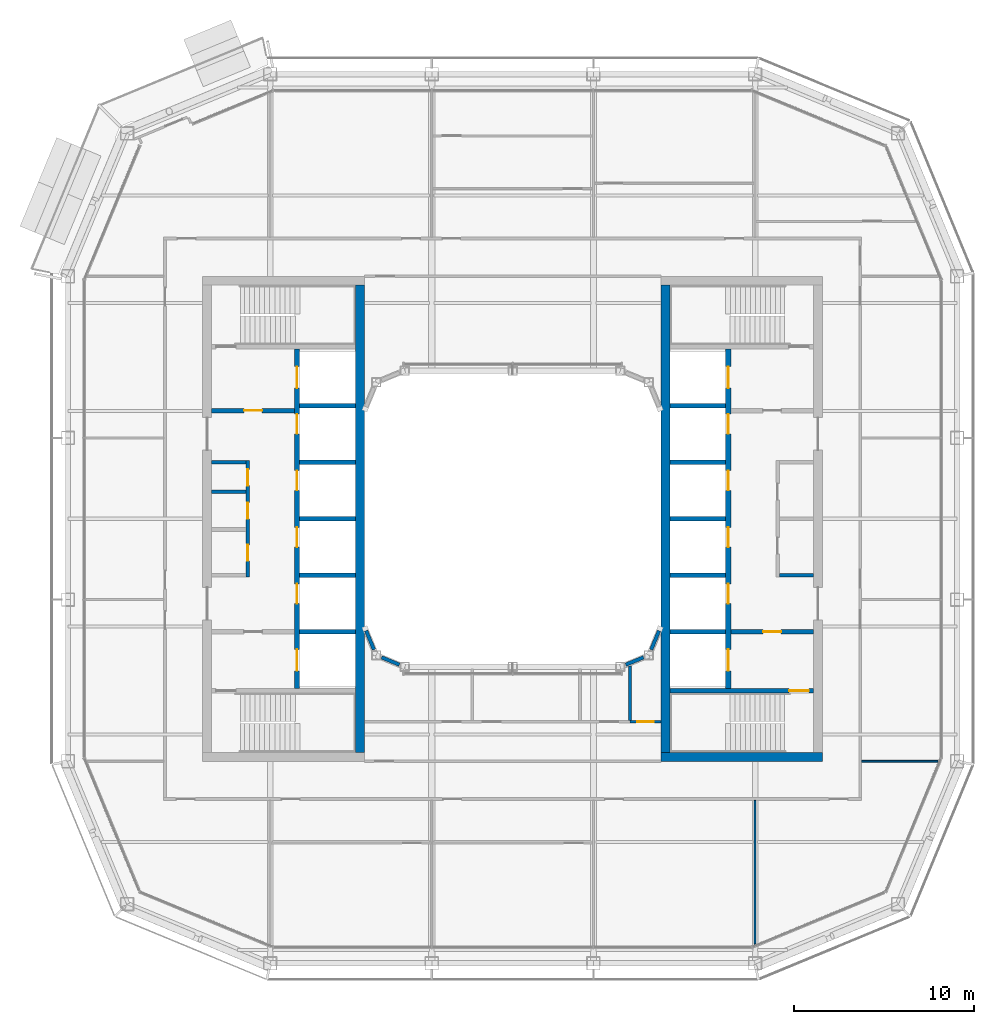
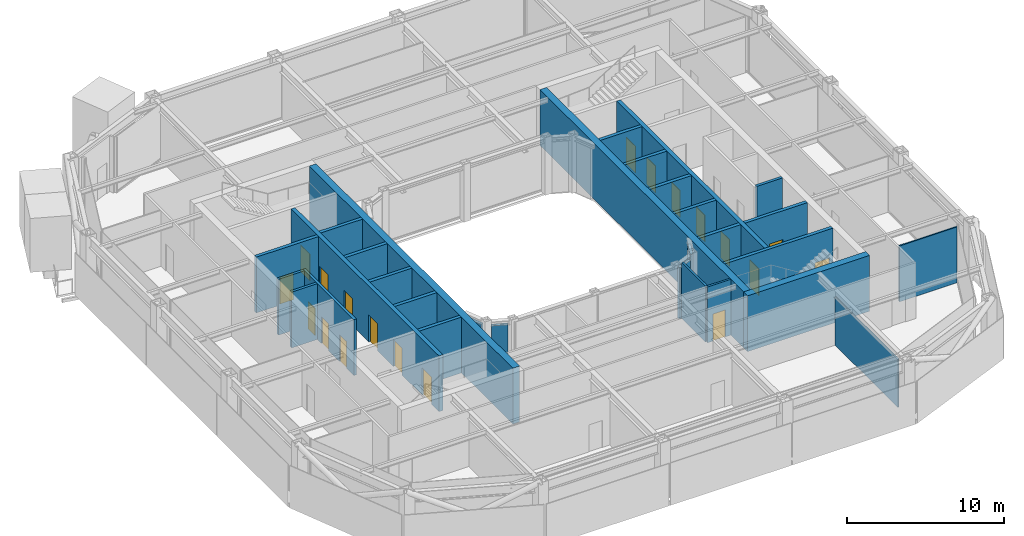
# One storey, part 12 of 21: 30 walls, 19 doors, 19 openings.
"""IFC4 building model written with IfcOpenShell, lengths in metres."""

from ifc_helpers import new_model, si_unit, direction, frame, frame_2d, origin, place, context, subcontext, project, spatial, rectangle, extrude, material, layer, layer_set, type_object, element, fill, save


model = new_model("IFC4")

# Units and contexts
model_context = context("Model", 3, precision=1e-05, world=origin(), true_north=direction((0.0, 1.0)))
body_context = subcontext(model_context, "Body", "Model", "MODEL_VIEW")
ifc_project = project(units=[si_unit("LENGTHUNIT", "METRE"), si_unit("AREAUNIT", "SQUARE_METRE"), si_unit("VOLUMEUNIT", "CUBIC_METRE"), si_unit("PLANEANGLEUNIT", "RADIAN"), si_unit("MASSUNIT", "GRAM", prefix="KILO")], contexts=[model_context])

# Site, building, storey
site_placement = place(None, origin())
site = spatial("IfcSite", under=ifc_project, at=site_placement, CompositionType="ELEMENT")
building_placement = place(site_placement, origin())
building = spatial("IfcBuilding", under=site, at=building_placement, Name="Siwar Civic Tower", CompositionType="ELEMENT")
storey_placement = place(building_placement, frame((0.0, 0.0, 312.199951171875)))
storey = spatial("IfcBuildingStorey", under=building, at=storey_placement, Name="L67", CompositionType="ELEMENT", Elevation=312.199951171875)

# Wall, opening, door
ifc_material_1 = material(Name="Gypsum board on steel studs", Category="steel")
ifc_layer_1 = layer(ifc_material_1, 0.14990234375)
ifc_layer_set_1 = layer_set([ifc_layer_1], Name="Gypsum board on steel studs")
wall_type_1 = type_object("IfcWallType", Name="COMPARTMENT PARTITION 150 EI 60", PredefinedType="PARTITIONING", material=ifc_layer_set_1)
wall_1_placement = place(storey_placement, frame((6.5400390625, -11.300048828125, 0.0), z_axis=(0.0, 0.0, 1.0), x_axis=(1.0, 0.0, 0.0)))
wall_1 = element("IfcWall", 1, at=wall_1_placement, inside=storey, type_object=wall_type_1, Name="L67/wall/P07", PredefinedType="PARTITIONING", context=body_context, shape_type="SweptSolid", body=[
    extrude(rectangle(XDim=1.7099609375, YDim=0.14990234375, at=frame_2d((0.85498046875, 0.0))), origin(), (0.0, 0.0, 1.0), 4.35009765625),
])
opening_1_placement = place(wall_1_placement, frame((0.409912109375, 0.0, 0.0)))
opening_1 = element("IfcOpeningElement", 2, at=opening_1_placement, cuts=wall_1, Name="Opening D4", PredefinedType="OPENING", context=body_context, shape_type="SweptSolid", body=[
    extrude(rectangle(XDim=0.89990234375, YDim=2.10009765625, at=frame_2d((0.449951171875, 1.050048828125))), frame((0.0, 0.0849609375, 0.0), z_axis=(0.0, -1.0, 0.0), x_axis=(1.0, 0.0, 0.0)), (0.0, 0.0, 1.0), 0.169921875),
])
ifc_material_2 = material(Name="Timber, painted", Category="wood")
door_type_1 = type_object("IfcDoorType", Name="DOOR 900 X 2100 FD60", OperationType="SINGLE_SWING_LEFT", PredefinedType="DOOR", material=ifc_material_2)
door_1_placement = place(opening_1_placement, origin())
door_1 = element("IfcDoor", 3, at=door_1_placement, inside=storey, type_object=door_type_1, Name="L67-D28", OperationType="SINGLE_SWING_RIGHT", OverallHeight=2.10009765625, OverallWidth=0.89990234375, PredefinedType="DOOR", context=body_context, shape_type="SweptSolid", body=[
    extrude(rectangle(XDim=0.89990234375, YDim=2.10009765625, at=frame_2d((0.449951171875, 1.050048828125))), frame((0.0, 0.02490234375, 0.0), z_axis=(0.0, -1.0, 0.0), x_axis=(1.0, 0.0, 0.0)), (0.0, 0.0, 1.0), 0.050048828125),
])
fill(opening_1, door_1)

# Wall
wall_2_placement = place(storey_placement, frame((6.5400390625, -11.22509765625, 0.0), z_axis=(0.0, 0.0, 1.0), x_axis=(0.0, 1.0, 0.0)))
element("IfcWall", 4, at=wall_2_placement, inside=storey, type_object=wall_type_1, Name="L67/wall/P30", PredefinedType="PARTITIONING", context=body_context, shape_type="SweptSolid", body=[
    extrude(rectangle(XDim=3.0390625, YDim=0.14990234375, at=frame_2d((1.51953125, 0.0))), origin(), (0.0, 0.0, 1.0), 4.35009765625),
])

# Wall, openings, doors
ifc_material_3 = material(Name="Gypsum board on steel studs", Category="steel")
ifc_layer_2 = layer(ifc_material_3, 0.199951171875)
ifc_layer_set_2 = layer_set([ifc_layer_2], Name="Gypsum board on steel studs")
wall_type_2 = type_object("IfcWallType", Name="CORE-PARTITION-200", PredefinedType="PARTITIONING", material=ifc_layer_set_2)
wall_3_placement = place(storey_placement, frame((-14.75, -3.25, 0.0), z_axis=(0.0, 0.0, 1.0), x_axis=(0.0, 1.0, 0.0)))
wall_3 = element("IfcWall", 5, at=wall_3_placement, inside=storey, type_object=wall_type_2, Name="Core partition W", PredefinedType="PARTITIONING", context=body_context, shape_type="SweptSolid", body=[
    extrude(rectangle(XDim=6.5, YDim=0.199951171875, at=frame_2d((3.25, 0.0))), origin(), (0.0, 0.0, 1.0), 4.35009765625),
])
opening_2_placement = place(wall_3_placement, frame((0.89990234375, 0.0, 0.0)))
opening_2 = element("IfcOpeningElement", 6, at=opening_2_placement, cuts=wall_3, Name="Opening L67-CW13", PredefinedType="OPENING", context=body_context, shape_type="SweptSolid", body=[
    extrude(rectangle(XDim=0.89990234375, YDim=2.10009765625, at=frame_2d((0.449951171875, 1.050048828125))), frame((0.0, 0.10986328125, 0.0), z_axis=(0.0, -1.0, 0.0), x_axis=(1.0, 0.0, 0.0)), (0.0, 0.0, 1.0), 0.219970703125),
])
opening_3_placement = place(wall_3_placement, frame((3.25, 0.0, 0.0)))
opening_3 = element("IfcOpeningElement", 7, at=opening_3_placement, cuts=wall_3, Name="Opening L67-CW14", PredefinedType="OPENING", context=body_context, shape_type="SweptSolid", body=[
    extrude(rectangle(XDim=0.89990234375, YDim=2.10009765625, at=frame_2d((0.449951171875, 1.050048828125))), frame((0.0, 0.10986328125, 0.0), z_axis=(0.0, -1.0, 0.0), x_axis=(1.0, 0.0, 0.0)), (0.0, 0.0, 1.0), 0.219970703125),
])
opening_4_placement = place(wall_3_placement, frame((5.10009765625, 0.0, 0.0)))
opening_4 = element("IfcOpeningElement", 8, at=opening_4_placement, cuts=wall_3, Name="Opening L67-CW15", PredefinedType="OPENING", context=body_context, shape_type="SweptSolid", body=[
    extrude(rectangle(XDim=0.89990234375, YDim=2.10009765625, at=frame_2d((0.449951171875, 1.050048828125))), frame((0.0, 0.10986328125, 0.0), z_axis=(0.0, -1.0, 0.0), x_axis=(1.0, 0.0, 0.0)), (0.0, 0.0, 1.0), 0.219970703125),
])
ifc_material_4 = material(Name="Steel door leaf", Category="steel")
door_type_2 = type_object("IfcDoorType", Name="CORE-DOOR-ROOM", OperationType="SINGLE_SWING_LEFT", PredefinedType="DOOR", material=ifc_material_4)
door_2_placement = place(opening_2_placement, origin())
door_2 = element("IfcDoor", 9, at=door_2_placement, inside=storey, type_object=door_type_2, Name="Core room door L67-CW13", OperationType="SINGLE_SWING_RIGHT", OverallHeight=2.10009765625, OverallWidth=0.89990234375, PredefinedType="DOOR", context=body_context, shape_type="SweptSolid", body=[
    extrude(rectangle(XDim=0.89990234375, YDim=2.10009765625, at=frame_2d((0.449951171875, 1.050048828125))), frame((0.0, 0.02490234375, 0.0), z_axis=(0.0, -1.0, 0.0), x_axis=(1.0, 0.0, 0.0)), (0.0, 0.0, 1.0), 0.050048828125),
])
fill(opening_2, door_2)
door_3_placement = place(opening_3_placement, origin())
door_3 = element("IfcDoor", 10, at=door_3_placement, inside=storey, type_object=door_type_2, Name="Core room door L67-CW14", OperationType="SINGLE_SWING_RIGHT", OverallHeight=2.10009765625, OverallWidth=0.89990234375, PredefinedType="DOOR", context=body_context, shape_type="SweptSolid", body=[
    extrude(rectangle(XDim=0.89990234375, YDim=2.10009765625, at=frame_2d((0.449951171875, 1.050048828125))), frame((0.0, 0.02490234375, 0.0), z_axis=(0.0, -1.0, 0.0), x_axis=(1.0, 0.0, 0.0)), (0.0, 0.0, 1.0), 0.050048828125),
])
fill(opening_3, door_3)
door_4_placement = place(opening_4_placement, origin())
door_4 = element("IfcDoor", 11, at=door_4_placement, inside=storey, type_object=door_type_2, Name="Core room door L67-CW15", OperationType="SINGLE_SWING_RIGHT", OverallHeight=2.10009765625, OverallWidth=0.89990234375, PredefinedType="DOOR", context=body_context, shape_type="SweptSolid", body=[
    extrude(rectangle(XDim=0.89990234375, YDim=2.10009765625, at=frame_2d((0.449951171875, 1.050048828125))), frame((0.0, 0.02490234375, 0.0), z_axis=(0.0, -1.0, 0.0), x_axis=(1.0, 0.0, 0.0)), (0.0, 0.0, 1.0), 0.050048828125),
])
fill(opening_4, door_4)

# Walls
for number, where, z_axis, x_axis, name in (
    (12, (-14.85009765625, 3.14990234375, 0.0), (0.0, 0.0, 1.0), (-1.0, 0.0, 0.0), "Core partition W"),
    (13, (-14.85009765625, 1.5, 0.0), (0.0, 0.0, 1.0), (-1.0, 0.0, 0.0), "Core partition W"),
    (14, (14.85009765625, -3.14990234375, 0.0), (0.0, 0.0, 1.0), (1.0, 0.0, 0.0), "Core partition E"),
):
    element("IfcWall", number, at=place(storey_placement, frame(where, z_axis=z_axis, x_axis=x_axis)), inside=storey, type_object=wall_type_2, Name=name, PredefinedType="PARTITIONING", context=body_context, shape_type="SweptSolid", body=[
        extrude(rectangle(XDim=1.89990234375, YDim=0.199951171875, at=frame_2d((0.949951171875, 0.0))), origin(), (0.0, 0.0, 1.0), 4.35009765625),
    ])

# Wall, opening, door
ifc_material_5 = material(Name="Concrete C60/75", Category="concrete")
ifc_layer_3 = layer(ifc_material_5, 0.25)
ifc_layer_set_3 = layer_set([ifc_layer_3], Name="Concrete C60/75")
wall_type_3 = type_object("IfcWallType", Name="CORE-WALL-RC250", PredefinedType="SHEAR", material=ifc_layer_set_3)
wall_4_placement = place(storey_placement, frame((-12.14990234375, 6.02490234375, 0.0), z_axis=(0.0, 0.0, 1.0), x_axis=(-1.0, 0.0, 0.0)))
wall_4 = element("IfcWall", 15, at=wall_4_placement, inside=storey, type_object=wall_type_3, Name="Core wall W", PredefinedType="SHEAR", context=body_context, shape_type="SweptSolid", body=[
    extrude(rectangle(XDim=4.60009765625, YDim=0.25, at=frame_2d((2.300048828125, 0.0))), origin(), (0.0, 0.0, 1.0), 4.35009765625),
])
opening_5_placement = place(wall_4_placement, frame((1.800048828125, 0.0, 0.0)))
opening_5 = element("IfcOpeningElement", 16, at=opening_5_placement, cuts=wall_4, Name="Opening L67-CW01", PredefinedType="OPENING", context=body_context, shape_type="SweptSolid", body=[
    extrude(rectangle(XDim=1.0, YDim=2.10009765625, at=frame_2d((0.5, 1.050048828125))), frame((0.0, 0.135009765625, 0.0), z_axis=(0.0, -1.0, 0.0), x_axis=(1.0, 0.0, 0.0)), (0.0, 0.0, 1.0), 0.27001953125),
])
ifc_material_6 = material(Name="Steel door leaf", Category="steel")
door_type_3 = type_object("IfcDoorType", Name="CORE-DOOR-FD30S", OperationType="SINGLE_SWING_LEFT", PredefinedType="DOOR", material=ifc_material_6)
door_5_placement = place(opening_5_placement, origin())
door_5 = element("IfcDoor", 17, at=door_5_placement, inside=storey, type_object=door_type_3, Name="Firefighting lobby door L67-CW01", OperationType="SINGLE_SWING_LEFT", OverallHeight=2.10009765625, OverallWidth=1.0, PredefinedType="DOOR", context=body_context, shape_type="SweptSolid", body=[
    extrude(rectangle(XDim=1.0, YDim=2.10009765625, at=frame_2d((0.5, 1.050048828125))), frame((0.0, 0.02490234375, 0.0), z_axis=(0.0, -1.0, 0.0), x_axis=(1.0, 0.0, 0.0)), (0.0, 0.0, 1.0), 0.050048828125),
])
fill(opening_5, door_5)

# Walls
for number, where, z_axis, x_axis, name in (
    (18, (-8.75, 0.0, 0.0), (0.0, 0.0, 1.0), (-1.0, 0.0, 0.0), "Core wall W"),
    (19, (-8.75, 3.14990234375, 0.0), (0.0, 0.0, 1.0), (-1.0, 0.0, 0.0), "Core wall W"),
    (20, (-8.75, 6.300048828125, 0.0), (0.0, 0.0, 1.0), (-1.0, 0.0, 0.0), "Core wall W"),
    (21, (-8.75, -3.14990234375, 0.0), (0.0, 0.0, 1.0), (-1.0, 0.0, 0.0), "Core wall W"),
    (22, (-8.75, -6.300048828125, 0.0), (0.0, 0.0, 1.0), (-1.0, 0.0, 0.0), "Core wall W"),
):
    element("IfcWall", number, at=place(storey_placement, frame(where, z_axis=z_axis, x_axis=x_axis)), inside=storey, type_object=wall_type_3, Name=name, PredefinedType="SHEAR", context=body_context, shape_type="SweptSolid", body=[
        extrude(rectangle(XDim=3.10009765625, YDim=0.25, at=frame_2d((1.550048828125, 0.0))), origin(), (0.0, 0.0, 1.0), 4.35009765625),
    ])

# Wall, opening, door
wall_5_placement = place(storey_placement, frame((12.14990234375, -6.300048828125, 0.0), z_axis=(0.0, 0.0, 1.0), x_axis=(1.0, 0.0, 0.0)))
wall_5 = element("IfcWall", 23, at=wall_5_placement, inside=storey, type_object=wall_type_3, Name="Core wall E", PredefinedType="SHEAR", context=body_context, shape_type="SweptSolid", body=[
    extrude(rectangle(XDim=4.60009765625, YDim=0.25, at=frame_2d((2.300048828125, 0.0))), origin(), (0.0, 0.0, 1.0), 4.35009765625),
])
opening_6_placement = place(wall_5_placement, frame((1.800048828125, 0.0, 0.0)))
opening_6 = element("IfcOpeningElement", 24, at=opening_6_placement, cuts=wall_5, Name="Opening L67-CE02", PredefinedType="OPENING", context=body_context, shape_type="SweptSolid", body=[
    extrude(rectangle(XDim=1.0, YDim=2.10009765625, at=frame_2d((0.5, 1.050048828125))), frame((0.0, 0.135009765625, 0.0), z_axis=(0.0, -1.0, 0.0), x_axis=(1.0, 0.0, 0.0)), (0.0, 0.0, 1.0), 0.27001953125),
])
door_6_placement = place(opening_6_placement, origin())
door_6 = element("IfcDoor", 25, at=door_6_placement, inside=storey, type_object=door_type_3, Name="Service lobby door L67-CE02", OperationType="SINGLE_SWING_LEFT", OverallHeight=2.10009765625, OverallWidth=1.0, PredefinedType="DOOR", context=body_context, shape_type="SweptSolid", body=[
    extrude(rectangle(XDim=1.0, YDim=2.10009765625, at=frame_2d((0.5, 1.050048828125))), frame((0.0, 0.02490234375, 0.0), z_axis=(0.0, -1.0, 0.0), x_axis=(1.0, 0.0, 0.0)), (0.0, 0.0, 1.0), 0.050048828125),
])
fill(opening_6, door_6)

# Walls
for number, where, z_axis, x_axis, name in (
    (26, (8.75, 0.0, 0.0), (0.0, 0.0, 1.0), (1.0, 0.0, 0.0), "Core wall E"),
    (27, (8.75, 3.14990234375, 0.0), (0.0, 0.0, 1.0), (1.0, 0.0, 0.0), "Core wall E"),
    (28, (8.75, 6.300048828125, 0.0), (0.0, 0.0, 1.0), (1.0, 0.0, 0.0), "Core wall E"),
    (29, (8.75, -3.14990234375, 0.0), (0.0, 0.0, 1.0), (1.0, 0.0, 0.0), "Core wall E"),
    (30, (8.75, -6.300048828125, 0.0), (0.0, 0.0, 1.0), (1.0, 0.0, 0.0), "Core wall E"),
):
    element("IfcWall", number, at=place(storey_placement, frame(where, z_axis=z_axis, x_axis=x_axis)), inside=storey, type_object=wall_type_3, Name=name, PredefinedType="SHEAR", context=body_context, shape_type="SweptSolid", body=[
        extrude(rectangle(XDim=3.10009765625, YDim=0.25, at=frame_2d((1.550048828125, 0.0))), origin(), (0.0, 0.0, 1.0), 4.35009765625),
    ])

# Wall, opening, door
wall_6_placement = place(storey_placement, frame((8.75, -9.574951171875, 0.0), z_axis=(0.0, 0.0, 1.0), x_axis=(1.0, 0.0, 0.0)))
wall_6 = element("IfcWall", 31, at=wall_6_placement, inside=storey, type_object=wall_type_3, Name="Core wall E", PredefinedType="SHEAR", context=body_context, shape_type="SweptSolid", body=[
    extrude(rectangle(XDim=8.0, YDim=0.25, at=frame_2d((4.0, 0.0))), origin(), (0.0, 0.0, 1.0), 4.35009765625),
])
opening_7_placement = place(wall_6_placement, frame((6.64990234375, 0.0, 0.0)))
opening_7 = element("IfcOpeningElement", 32, at=opening_7_placement, cuts=wall_6, Name="Opening L67-CE04", PredefinedType="OPENING", context=body_context, shape_type="SweptSolid", body=[
    extrude(rectangle(XDim=1.10009765625, YDim=2.10009765625, at=frame_2d((0.550048828125, 1.050048828125))), frame((0.0, 0.135009765625, 0.0), z_axis=(0.0, -1.0, 0.0), x_axis=(1.0, 0.0, 0.0)), (0.0, 0.0, 1.0), 0.27001953125),
])
ifc_material_7 = material(Name="Steel door leaf", Category="steel")
door_type_4 = type_object("IfcDoorType", Name="CORE-DOOR-FD60S", OperationType="SINGLE_SWING_LEFT", PredefinedType="DOOR", material=ifc_material_7)
door_7_placement = place(opening_7_placement, origin())
door_7 = element("IfcDoor", 33, at=door_7_placement, inside=storey, type_object=door_type_4, Name="Stair door L67-CE04", OperationType="SINGLE_SWING_RIGHT", OverallHeight=2.10009765625, OverallWidth=1.10009765625, PredefinedType="DOOR", context=body_context, shape_type="SweptSolid", body=[
    extrude(rectangle(XDim=1.10009765625, YDim=2.10009765625, at=frame_2d((0.550048828125, 1.050048828125))), frame((0.0, 0.02490234375, 0.0), z_axis=(0.0, -1.0, 0.0), x_axis=(1.0, 0.0, 0.0)), (0.0, 0.0, 1.0), 0.050048828125),
])
fill(opening_7, door_7)

# Wall, openings, doors
ifc_material_8 = material(Name="Concrete C60/75", Category="concrete")
ifc_layer_4 = layer(ifc_material_8, 0.300048828125)
ifc_layer_set_4 = layer_set([ifc_layer_4], Name="Concrete C60/75")
wall_type_4 = type_object("IfcWallType", Name="CORE-WALL-RC300", PredefinedType="SHEAR", material=ifc_layer_set_4)
wall_7_placement = place(storey_placement, frame((-12.0, -9.449951171875, 0.0), z_axis=(0.0, 0.0, 1.0), x_axis=(0.0, 1.0, 0.0)))
wall_7 = element("IfcWall", 34, at=wall_7_placement, inside=storey, type_object=wall_type_4, Name="Core wall W", PredefinedType="SHEAR", context=body_context, shape_type="SweptSolid", body=[
    extrude(rectangle(XDim=18.89990234375, YDim=0.300048828125, at=frame_2d((9.449951171875, 0.0))), origin(), (0.0, 0.0, 1.0), 4.35009765625),
])
opening_8_placement = place(wall_7_placement, frame((4.72509765625, 0.0, 0.0)))
opening_8 = element("IfcOpeningElement", 35, at=opening_8_placement, cuts=wall_7, Name="Opening L67-CW07", PredefinedType="OPENING", context=body_context, shape_type="SweptSolid", body=[
    extrude(rectangle(XDim=1.10009765625, YDim=2.10009765625, at=frame_2d((0.550048828125, 1.050048828125))), frame((0.0, 0.16015625, 0.0), z_axis=(0.0, -1.0, 0.0), x_axis=(1.0, 0.0, 0.0)), (0.0, 0.0, 1.0), 0.320068359375),
])
opening_9_placement = place(wall_7_placement, frame((7.875, 0.0, 0.0)))
opening_9 = element("IfcOpeningElement", 36, at=opening_9_placement, cuts=wall_7, Name="Opening L67-CW08", PredefinedType="OPENING", context=body_context, shape_type="SweptSolid", body=[
    extrude(rectangle(XDim=1.10009765625, YDim=2.10009765625, at=frame_2d((0.550048828125, 1.050048828125))), frame((0.0, 0.16015625, 0.0), z_axis=(0.0, -1.0, 0.0), x_axis=(1.0, 0.0, 0.0)), (0.0, 0.0, 1.0), 0.320068359375),
])
opening_10_placement = place(wall_7_placement, frame((11.02490234375, 0.0, 0.0)))
opening_10 = element("IfcOpeningElement", 37, at=opening_10_placement, cuts=wall_7, Name="Opening L67-CW09", PredefinedType="OPENING", context=body_context, shape_type="SweptSolid", body=[
    extrude(rectangle(XDim=1.10009765625, YDim=2.10009765625, at=frame_2d((0.550048828125, 1.050048828125))), frame((0.0, 0.16015625, 0.0), z_axis=(0.0, -1.0, 0.0), x_axis=(1.0, 0.0, 0.0)), (0.0, 0.0, 1.0), 0.320068359375),
])
opening_11_placement = place(wall_7_placement, frame((14.175048828125, 0.0, 0.0)))
opening_11 = element("IfcOpeningElement", 38, at=opening_11_placement, cuts=wall_7, Name="Opening L67-CW10", PredefinedType="OPENING", context=body_context, shape_type="SweptSolid", body=[
    extrude(rectangle(XDim=1.10009765625, YDim=2.10009765625, at=frame_2d((0.550048828125, 1.050048828125))), frame((0.0, 0.16015625, 0.0), z_axis=(0.0, -1.0, 0.0), x_axis=(1.0, 0.0, 0.0)), (0.0, 0.0, 1.0), 0.320068359375),
])
opening_12_placement = place(wall_7_placement, frame((16.72509765625, 0.0, 0.0)))
opening_12 = element("IfcOpeningElement", 39, at=opening_12_placement, cuts=wall_7, Name="Opening L67-CW11", PredefinedType="OPENING", context=body_context, shape_type="SweptSolid", body=[
    extrude(rectangle(XDim=1.199951171875, YDim=2.10009765625, at=frame_2d((0.60009765625, 1.050048828125))), frame((0.0, 0.16015625, 0.0), z_axis=(0.0, -1.0, 0.0), x_axis=(1.0, 0.0, 0.0)), (0.0, 0.0, 1.0), 0.320068359375),
])
opening_13_placement = place(wall_7_placement, frame((0.97509765625, 0.0, 0.0)))
opening_13 = element("IfcOpeningElement", 40, at=opening_13_placement, cuts=wall_7, Name="Opening L67-CW12", PredefinedType="OPENING", context=body_context, shape_type="SweptSolid", body=[
    extrude(rectangle(XDim=1.199951171875, YDim=2.10009765625, at=frame_2d((0.60009765625, 1.050048828125))), frame((0.0, 0.16015625, 0.0), z_axis=(0.0, -1.0, 0.0), x_axis=(1.0, 0.0, 0.0)), (0.0, 0.0, 1.0), 0.320068359375),
])
ifc_material_9 = material(Name="Steel door leaf", Category="steel")
door_type_5 = type_object("IfcDoorType", Name="CORE-DOOR-LD", OperationType="DOUBLE_DOOR_SLIDING", PredefinedType="DOOR", material=ifc_material_9)
door_8_placement = place(opening_8_placement, origin())
door_8 = element("IfcDoor", 41, at=door_8_placement, inside=storey, type_object=door_type_5, Name="Landing door HR1 L67-CW07", OperationType="DOUBLE_DOOR_SLIDING", OverallHeight=2.10009765625, OverallWidth=1.10009765625, PredefinedType="DOOR", context=body_context, shape_type="SweptSolid", body=[
    extrude(rectangle(XDim=1.10009765625, YDim=2.10009765625, at=frame_2d((0.550048828125, 1.050048828125))), frame((0.0, 0.02490234375, 0.0), z_axis=(0.0, -1.0, 0.0), x_axis=(1.0, 0.0, 0.0)), (0.0, 0.0, 1.0), 0.050048828125),
])
fill(opening_8, door_8)
door_9_placement = place(opening_9_placement, origin())
door_9 = element("IfcDoor", 42, at=door_9_placement, inside=storey, type_object=door_type_5, Name="Landing door HR2 L67-CW08", OperationType="DOUBLE_DOOR_SLIDING", OverallHeight=2.10009765625, OverallWidth=1.10009765625, PredefinedType="DOOR", context=body_context, shape_type="SweptSolid", body=[
    extrude(rectangle(XDim=1.10009765625, YDim=2.10009765625, at=frame_2d((0.550048828125, 1.050048828125))), frame((0.0, 0.02490234375, 0.0), z_axis=(0.0, -1.0, 0.0), x_axis=(1.0, 0.0, 0.0)), (0.0, 0.0, 1.0), 0.050048828125),
])
fill(opening_9, door_9)
door_10_placement = place(opening_10_placement, origin())
door_10 = element("IfcDoor", 43, at=door_10_placement, inside=storey, type_object=door_type_5, Name="Landing door HR3 L67-CW09", OperationType="DOUBLE_DOOR_SLIDING", OverallHeight=2.10009765625, OverallWidth=1.10009765625, PredefinedType="DOOR", context=body_context, shape_type="SweptSolid", body=[
    extrude(rectangle(XDim=1.10009765625, YDim=2.10009765625, at=frame_2d((0.550048828125, 1.050048828125))), frame((0.0, 0.02490234375, 0.0), z_axis=(0.0, -1.0, 0.0), x_axis=(1.0, 0.0, 0.0)), (0.0, 0.0, 1.0), 0.050048828125),
])
fill(opening_10, door_10)
door_11_placement = place(opening_11_placement, origin())
door_11 = element("IfcDoor", 44, at=door_11_placement, inside=storey, type_object=door_type_5, Name="Landing door HR4 L67-CW10", OperationType="DOUBLE_DOOR_SLIDING", OverallHeight=2.10009765625, OverallWidth=1.10009765625, PredefinedType="DOOR", context=body_context, shape_type="SweptSolid", body=[
    extrude(rectangle(XDim=1.10009765625, YDim=2.10009765625, at=frame_2d((0.550048828125, 1.050048828125))), frame((0.0, 0.02490234375, 0.0), z_axis=(0.0, -1.0, 0.0), x_axis=(1.0, 0.0, 0.0)), (0.0, 0.0, 1.0), 0.050048828125),
])
fill(opening_11, door_11)
ifc_material_10 = material(Name="Steel door leaf", Category="steel")
door_type_6 = type_object("IfcDoorType", Name="CORE-DOOR-LDW", OperationType="DOUBLE_DOOR_SLIDING", PredefinedType="DOOR", material=ifc_material_10)
door_12_placement = place(opening_12_placement, origin())
door_12 = element("IfcDoor", 45, at=door_12_placement, inside=storey, type_object=door_type_6, Name="Landing door FF1 L67-CW11", OperationType="DOUBLE_DOOR_SLIDING", OverallHeight=2.10009765625, OverallWidth=1.199951171875, PredefinedType="DOOR", context=body_context, shape_type="SweptSolid", body=[
    extrude(rectangle(XDim=1.199951171875, YDim=2.10009765625, at=frame_2d((0.60009765625, 1.050048828125))), frame((0.0, 0.02490234375, 0.0), z_axis=(0.0, -1.0, 0.0), x_axis=(1.0, 0.0, 0.0)), (0.0, 0.0, 1.0), 0.050048828125),
])
fill(opening_12, door_12)
door_13_placement = place(opening_13_placement, origin())
door_13 = element("IfcDoor", 46, at=door_13_placement, inside=storey, type_object=door_type_6, Name="Landing door SV1 L67-CW12", OperationType="DOUBLE_DOOR_SLIDING", OverallHeight=2.10009765625, OverallWidth=1.199951171875, PredefinedType="DOOR", context=body_context, shape_type="SweptSolid", body=[
    extrude(rectangle(XDim=1.199951171875, YDim=2.10009765625, at=frame_2d((0.60009765625, 1.050048828125))), frame((0.0, 0.02490234375, 0.0), z_axis=(0.0, -1.0, 0.0), x_axis=(1.0, 0.0, 0.0)), (0.0, 0.0, 1.0), 0.050048828125),
])
fill(opening_13, door_13)

wall_8_placement = place(storey_placement, frame((12.0, -9.449951171875, 0.0), z_axis=(0.0, 0.0, 1.0), x_axis=(0.0, 1.0, 0.0)))
wall_8 = element("IfcWall", 47, at=wall_8_placement, inside=storey, type_object=wall_type_4, Name="Core wall E", PredefinedType="SHEAR", context=body_context, shape_type="SweptSolid", body=[
    extrude(rectangle(XDim=18.89990234375, YDim=0.300048828125, at=frame_2d((9.449951171875, 0.0))), origin(), (0.0, 0.0, 1.0), 4.35009765625),
])
opening_14_placement = place(wall_8_placement, frame((4.72509765625, 0.0, 0.0)))
opening_14 = element("IfcOpeningElement", 48, at=opening_14_placement, cuts=wall_8, Name="Opening L67-CE07", PredefinedType="OPENING", context=body_context, shape_type="SweptSolid", body=[
    extrude(rectangle(XDim=1.10009765625, YDim=2.10009765625, at=frame_2d((0.550048828125, 1.050048828125))), frame((0.0, 0.16015625, 0.0), z_axis=(0.0, -1.0, 0.0), x_axis=(1.0, 0.0, 0.0)), (0.0, 0.0, 1.0), 0.320068359375),
])
opening_15_placement = place(wall_8_placement, frame((7.875, 0.0, 0.0)))
opening_15 = element("IfcOpeningElement", 49, at=opening_15_placement, cuts=wall_8, Name="Opening L67-CE08", PredefinedType="OPENING", context=body_context, shape_type="SweptSolid", body=[
    extrude(rectangle(XDim=1.10009765625, YDim=2.10009765625, at=frame_2d((0.550048828125, 1.050048828125))), frame((0.0, 0.16015625, 0.0), z_axis=(0.0, -1.0, 0.0), x_axis=(1.0, 0.0, 0.0)), (0.0, 0.0, 1.0), 0.320068359375),
])
opening_16_placement = place(wall_8_placement, frame((11.02490234375, 0.0, 0.0)))
opening_16 = element("IfcOpeningElement", 50, at=opening_16_placement, cuts=wall_8, Name="Opening L67-CE09", PredefinedType="OPENING", context=body_context, shape_type="SweptSolid", body=[
    extrude(rectangle(XDim=1.10009765625, YDim=2.10009765625, at=frame_2d((0.550048828125, 1.050048828125))), frame((0.0, 0.16015625, 0.0), z_axis=(0.0, -1.0, 0.0), x_axis=(1.0, 0.0, 0.0)), (0.0, 0.0, 1.0), 0.320068359375),
])
opening_17_placement = place(wall_8_placement, frame((14.175048828125, 0.0, 0.0)))
opening_17 = element("IfcOpeningElement", 51, at=opening_17_placement, cuts=wall_8, Name="Opening L67-CE10", PredefinedType="OPENING", context=body_context, shape_type="SweptSolid", body=[
    extrude(rectangle(XDim=1.10009765625, YDim=2.10009765625, at=frame_2d((0.550048828125, 1.050048828125))), frame((0.0, 0.16015625, 0.0), z_axis=(0.0, -1.0, 0.0), x_axis=(1.0, 0.0, 0.0)), (0.0, 0.0, 1.0), 0.320068359375),
])
opening_18_placement = place(wall_8_placement, frame((16.72509765625, 0.0, 0.0)))
opening_18 = element("IfcOpeningElement", 52, at=opening_18_placement, cuts=wall_8, Name="Opening L67-CE11", PredefinedType="OPENING", context=body_context, shape_type="SweptSolid", body=[
    extrude(rectangle(XDim=1.199951171875, YDim=2.10009765625, at=frame_2d((0.60009765625, 1.050048828125))), frame((0.0, 0.16015625, 0.0), z_axis=(0.0, -1.0, 0.0), x_axis=(1.0, 0.0, 0.0)), (0.0, 0.0, 1.0), 0.320068359375),
])
opening_19_placement = place(wall_8_placement, frame((0.97509765625, 0.0, 0.0)))
opening_19 = element("IfcOpeningElement", 53, at=opening_19_placement, cuts=wall_8, Name="Opening L67-CE12", PredefinedType="OPENING", context=body_context, shape_type="SweptSolid", body=[
    extrude(rectangle(XDim=1.199951171875, YDim=2.10009765625, at=frame_2d((0.60009765625, 1.050048828125))), frame((0.0, 0.16015625, 0.0), z_axis=(0.0, -1.0, 0.0), x_axis=(1.0, 0.0, 0.0)), (0.0, 0.0, 1.0), 0.320068359375),
])
door_14_placement = place(opening_14_placement, origin())
door_14 = element("IfcDoor", 54, at=door_14_placement, inside=storey, type_object=door_type_5, Name="Landing door HR5 L67-CE07", OperationType="DOUBLE_DOOR_SLIDING", OverallHeight=2.10009765625, OverallWidth=1.10009765625, PredefinedType="DOOR", context=body_context, shape_type="SweptSolid", body=[
    extrude(rectangle(XDim=1.10009765625, YDim=2.10009765625, at=frame_2d((0.550048828125, 1.050048828125))), frame((0.0, 0.02490234375, 0.0), z_axis=(0.0, -1.0, 0.0), x_axis=(1.0, 0.0, 0.0)), (0.0, 0.0, 1.0), 0.050048828125),
])
fill(opening_14, door_14)
door_15_placement = place(opening_15_placement, origin())
door_15 = element("IfcDoor", 55, at=door_15_placement, inside=storey, type_object=door_type_5, Name="Landing door HR6 L67-CE08", OperationType="DOUBLE_DOOR_SLIDING", OverallHeight=2.10009765625, OverallWidth=1.10009765625, PredefinedType="DOOR", context=body_context, shape_type="SweptSolid", body=[
    extrude(rectangle(XDim=1.10009765625, YDim=2.10009765625, at=frame_2d((0.550048828125, 1.050048828125))), frame((0.0, 0.02490234375, 0.0), z_axis=(0.0, -1.0, 0.0), x_axis=(1.0, 0.0, 0.0)), (0.0, 0.0, 1.0), 0.050048828125),
])
fill(opening_15, door_15)
door_16_placement = place(opening_16_placement, origin())
door_16 = element("IfcDoor", 56, at=door_16_placement, inside=storey, type_object=door_type_5, Name="Landing door HR7 L67-CE09", OperationType="DOUBLE_DOOR_SLIDING", OverallHeight=2.10009765625, OverallWidth=1.10009765625, PredefinedType="DOOR", context=body_context, shape_type="SweptSolid", body=[
    extrude(rectangle(XDim=1.10009765625, YDim=2.10009765625, at=frame_2d((0.550048828125, 1.050048828125))), frame((0.0, 0.02490234375, 0.0), z_axis=(0.0, -1.0, 0.0), x_axis=(1.0, 0.0, 0.0)), (0.0, 0.0, 1.0), 0.050048828125),
])
fill(opening_16, door_16)
door_17_placement = place(opening_17_placement, origin())
door_17 = element("IfcDoor", 57, at=door_17_placement, inside=storey, type_object=door_type_5, Name="Landing door HR8 L67-CE10", OperationType="DOUBLE_DOOR_SLIDING", OverallHeight=2.10009765625, OverallWidth=1.10009765625, PredefinedType="DOOR", context=body_context, shape_type="SweptSolid", body=[
    extrude(rectangle(XDim=1.10009765625, YDim=2.10009765625, at=frame_2d((0.550048828125, 1.050048828125))), frame((0.0, 0.02490234375, 0.0), z_axis=(0.0, -1.0, 0.0), x_axis=(1.0, 0.0, 0.0)), (0.0, 0.0, 1.0), 0.050048828125),
])
fill(opening_17, door_17)
door_18_placement = place(opening_18_placement, origin())
door_18 = element("IfcDoor", 58, at=door_18_placement, inside=storey, type_object=door_type_6, Name="Landing door FF2 L67-CE11", OperationType="DOUBLE_DOOR_SLIDING", OverallHeight=2.10009765625, OverallWidth=1.199951171875, PredefinedType="DOOR", context=body_context, shape_type="SweptSolid", body=[
    extrude(rectangle(XDim=1.199951171875, YDim=2.10009765625, at=frame_2d((0.60009765625, 1.050048828125))), frame((0.0, 0.02490234375, 0.0), z_axis=(0.0, -1.0, 0.0), x_axis=(1.0, 0.0, 0.0)), (0.0, 0.0, 1.0), 0.050048828125),
])
fill(opening_18, door_18)
door_19_placement = place(opening_19_placement, origin())
door_19 = element("IfcDoor", 59, at=door_19_placement, inside=storey, type_object=door_type_6, Name="Landing door SV2 L67-CE12", OperationType="DOUBLE_DOOR_SLIDING", OverallHeight=2.10009765625, OverallWidth=1.199951171875, PredefinedType="DOOR", context=body_context, shape_type="SweptSolid", body=[
    extrude(rectangle(XDim=1.199951171875, YDim=2.10009765625, at=frame_2d((0.60009765625, 1.050048828125))), frame((0.0, 0.02490234375, 0.0), z_axis=(0.0, -1.0, 0.0), x_axis=(1.0, 0.0, 0.0)), (0.0, 0.0, 1.0), 0.050048828125),
])
fill(opening_19, door_19)

# Walls
ifc_material_11 = material(Name="Concrete C60/75", Category="concrete")
ifc_layer_5 = layer(ifc_material_11, 0.5)
ifc_layer_set_5 = layer_set([ifc_layer_5], Name="Concrete C60/75")
wall_type_5 = type_object("IfcWallType", Name="CORE-WALL-RC500", PredefinedType="SHEAR", material=ifc_layer_set_5)
wall_9_placement = place(storey_placement, frame((8.25, -13.25, 0.0), z_axis=(0.0, 0.0, 1.0), x_axis=(1.0, 0.0, 0.0)))
element("IfcWall", 60, at=wall_9_placement, inside=storey, type_object=wall_type_5, Name="Core wall E", PredefinedType="SHEAR", context=body_context, shape_type="SweptSolid", body=[
    extrude(rectangle(XDim=9.0, YDim=0.5, at=frame_2d((4.5, 0.0))), origin(), (0.0, 0.0, 1.0), 4.35009765625),
])
ifc_material_12 = material(Name="Concrete C60/75", Category="concrete")
ifc_layer_6 = layer(ifc_material_12, 0.5)
ifc_layer_set_6 = layer_set([ifc_layer_6], Name="Concrete C60/75")
wall_type_6 = type_object("IfcWallType", Name="CORE-WALL-RC500-EXT", PredefinedType="SHEAR", material=ifc_layer_set_6)
for number, where, z_axis, x_axis, name in (
    (61, (-8.5, -13.0, 0.0), (0.0, 0.0, 1.0), (0.0, 1.0, 0.0), "Core wall W"),
    (62, (8.5, -13.0, 0.0), (0.0, 0.0, 1.0), (0.0, 1.0, 0.0), "Core wall E"),
):
    element("IfcWall", number, at=place(storey_placement, frame(where, z_axis=z_axis, x_axis=x_axis)), inside=storey, type_object=wall_type_6, Name=name, PredefinedType="SHEAR", context=body_context, shape_type="SweptSolid", body=[
        extrude(rectangle(XDim=26.0, YDim=0.5, at=frame_2d((13.0, 0.0))), origin(), (0.0, 0.0, 1.0), 4.35009765625),
    ])
ifc_material_13 = material(Name="Aluminium clad insulated panel", Category="aluminium")
ifc_layer_7 = layer(ifc_material_13, 0.199951171875)
ifc_layer_set_7 = layer_set([ifc_layer_7], Name="Aluminium clad insulated panel")
wall_type_7 = type_object("IfcWallType", Name="ENV-WALL-WELL", PredefinedType="STANDARD", material=ifc_layer_set_7)
wall_10_placement = place(storey_placement, frame((6.3017578125, -8.125, 0.0), z_axis=(0.0, 0.0, 1.0), x_axis=(0.923919409248, 0.382587147216, 0.0)))
element("IfcWall", 63, at=wall_10_placement, inside=storey, type_object=wall_type_7, Name="Light well corner wall SE1", PredefinedType="STANDARD", context=body_context, shape_type="SweptSolid", body=[
    extrude(rectangle(XDim=1.06884765625, YDim=0.199951171875, at=frame_2d((0.534423828125, 0.0))), origin(), (0.0, 0.0, 1.0), 4.010009765625),
])
for number, where, z_axis, x_axis, name in (
    (64, (7.716064453125, -7.289306640625, 0.0), (0.0, 0.0, 1.0), (0.382571404949, 0.923925927829, 0.0), "Light well corner wall SE2"),
    (65, (-8.154296875, -6.23095703125, 0.0), (0.0, 0.0, 1.0), (0.382571404949, -0.923925927829, 0.0), "Light well corner wall SW1"),
):
    element("IfcWall", number, at=place(storey_placement, frame(where, z_axis=z_axis, x_axis=x_axis)), inside=storey, type_object=wall_type_7, Name=name, PredefinedType="STANDARD", context=body_context, shape_type="SweptSolid", body=[
        extrude(rectangle(XDim=1.1455078125, YDim=0.199951171875, at=frame_2d((0.57275390625, 0.0))), origin(), (0.0, 0.0, 1.0), 4.010009765625),
    ])
wall_11_placement = place(storey_placement, frame((-7.289306640625, -7.716064453125, 0.0), z_axis=(0.0, 0.0, 1.0), x_axis=(0.923919409248, -0.382587147216, 0.0)))
element("IfcWall", 66, at=wall_11_placement, inside=storey, type_object=wall_type_7, Name="Light well corner wall SW2", PredefinedType="STANDARD", context=body_context, shape_type="SweptSolid", body=[
    extrude(rectangle(XDim=1.06884765625, YDim=0.199951171875, at=frame_2d((0.534423828125, 0.0))), origin(), (0.0, 0.0, 1.0), 4.010009765625),
])
ifc_material_14 = material(Name="Gypsum board on steel studs", Category="steel")
ifc_layer_8 = layer(ifc_material_14, 0.10009765625)
ifc_layer_set_8 = layer_set([ifc_layer_8], Name="Gypsum board on steel studs")
wall_type_8 = type_object("IfcWallType", Name="PARTITION 100 GYPSUM", PredefinedType="PARTITIONING", material=ifc_layer_set_8)
wall_12_placement = place(storey_placement, frame((19.425048828125, -13.5, 0.0), z_axis=(0.0, 0.0, 1.0), x_axis=(1.0, 0.0, 0.0)))
element("IfcWall", 67, at=wall_12_placement, inside=storey, type_object=wall_type_8, Name="L67/wall/P04", PredefinedType="PARTITIONING", context=body_context, shape_type="SweptSolid", body=[
    extrude(rectangle(XDim=4.2529296875, YDim=0.10009765625, at=frame_2d((2.12646484375, 0.0))), origin(), (0.0, 0.0, 1.0), 4.35009765625),
])
wall_13_placement = place(storey_placement, frame((13.5, -23.677978515625, 0.0), z_axis=(0.0, 0.0, 1.0), x_axis=(0.0, 1.0, 0.0)))
element("IfcWall", 68, at=wall_13_placement, inside=storey, type_object=wall_type_8, Name="L67/wall/P31", PredefinedType="PARTITIONING", context=body_context, shape_type="SweptSolid", body=[
    extrude(rectangle(XDim=8.0029296875, YDim=0.10009765625, at=frame_2d((4.00146484375, 0.0))), origin(), (0.0, 0.0, 1.0), 3.75),
])

save(model, "model.ifc")
